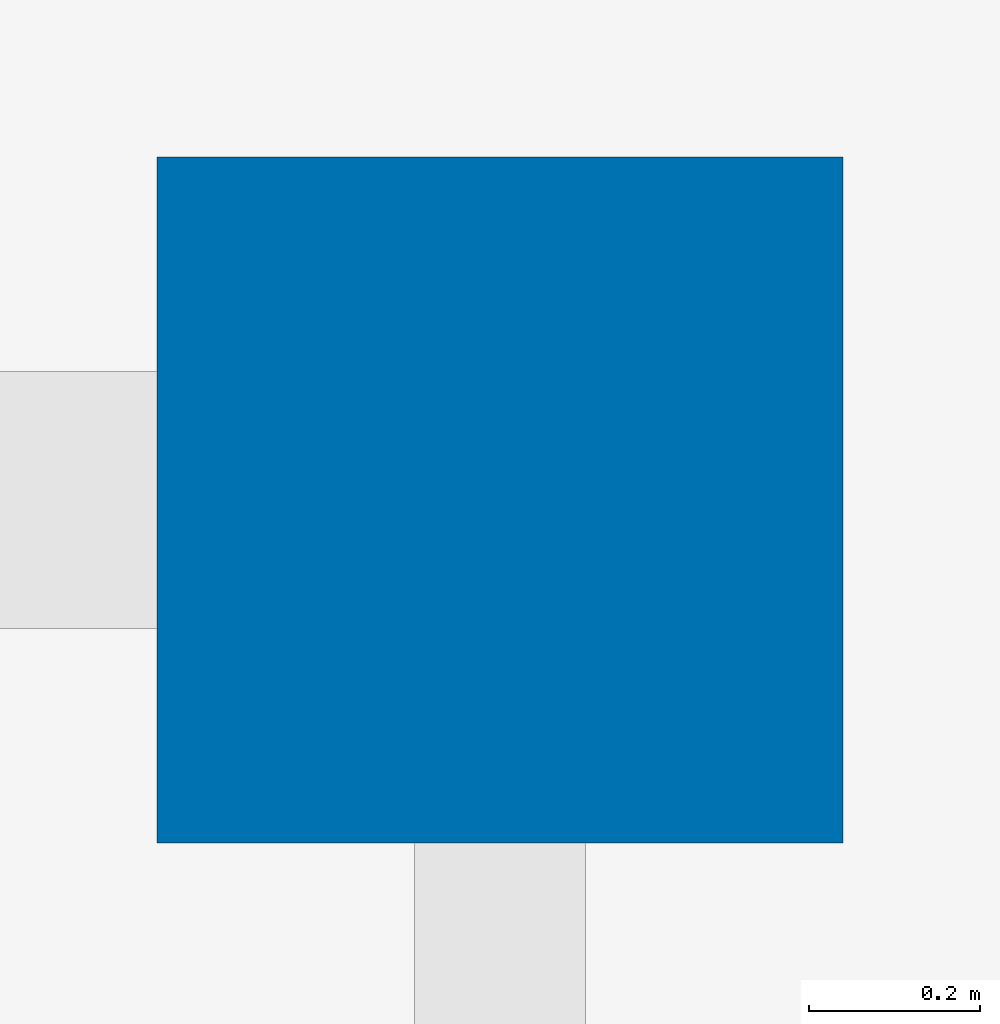
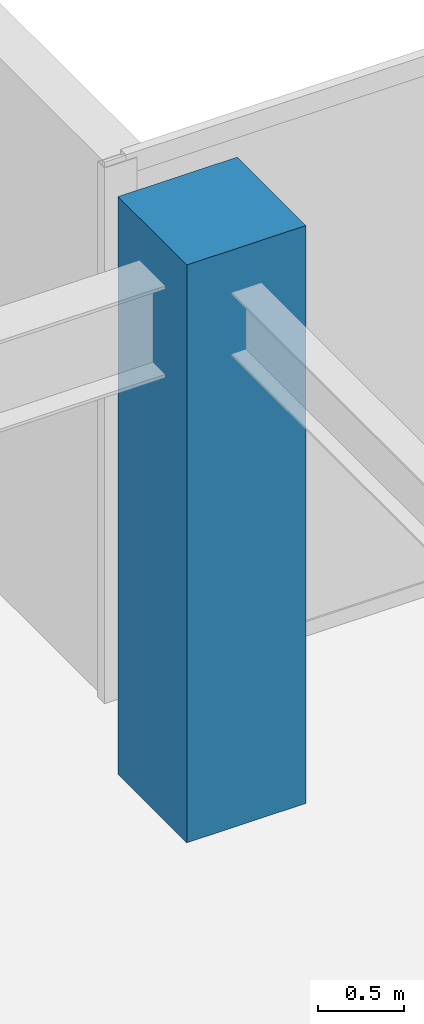
# One storey, part 4 of 33: 1 column.
"""IFC4 building model written with IfcOpenShell, lengths in metres."""

from ifc_helpers import new_model, si_unit, direction, frame, origin, origin_2d, place, context, subcontext, project, spatial, rectangle, extrude, source, transform, mapped, material, material_profile, profile_set, type_object, type_shapes, element, save


model = new_model("IFC4")

# Units and contexts
model_context = context("Model", 3, precision=1e-05, world=origin(), true_north=direction((0.0, 1.0)))
body_context = subcontext(model_context, "Body", "Model", "MODEL_VIEW")
ifc_project = project(units=[si_unit("LENGTHUNIT", "METRE"), si_unit("AREAUNIT", "SQUARE_METRE"), si_unit("VOLUMEUNIT", "CUBIC_METRE"), si_unit("PLANEANGLEUNIT", "RADIAN"), si_unit("MASSUNIT", "GRAM", prefix="KILO")], contexts=[model_context])

# Site, building, storey
site_placement = place(None, origin())
site = spatial("IfcSite", under=ifc_project, at=site_placement, CompositionType="ELEMENT")
building_placement = place(site_placement, origin())
building = spatial("IfcBuilding", under=site, at=building_placement, Name="Haelvirn Gate Laboratories", CompositionType="ELEMENT")
storey_placement = place(building_placement, frame((0.0, 0.0, 279.300048828125)))
storey = spatial("IfcBuildingStorey", under=building, at=storey_placement, Name="L67", CompositionType="ELEMENT", Elevation=279.300048828125)

# Column
ifc_material = material(Name="Concrete C50/60", Category="concrete")
ifc_material_profile = material_profile(ifc_material, rectangle(XDim=0.800048828125, YDim=0.800048828125, at=origin_2d()), Name="RC-800x800")
ifc_profile_set = profile_set([ifc_material_profile], Name="Concrete C50/60")
column_type = type_object("IfcColumnType", Name="COL-RC-800", PredefinedType="COLUMN", material=ifc_profile_set)
shared_shape = source(origin(), body_context, "Body", "SweptSolid", [
    extrude(rectangle(XDim=0.800048828125, YDim=0.800048828125, at=origin_2d()), origin(), (0.0, 0.0, 1.0), 4.099853515625),
])
type_shapes(column_type, [shared_shape])
column_placement = place(storey_placement, frame((67.39990234375, 41.60009765625, 0.0), z_axis=(0.0, 0.0, 1.0), x_axis=(1.0, 0.0, 0.0)))
element("IfcColumn", 1, at=column_placement, inside=storey, type_object=column_type, Name="L67 Column 10G", PredefinedType="COLUMN", context=body_context, shape_type="MappedRepresentation", body=[
    mapped(shared_shape, transform((0.0, 0.0, 0.0), scale=1.0)),
])

save(model, "model.ifc")
